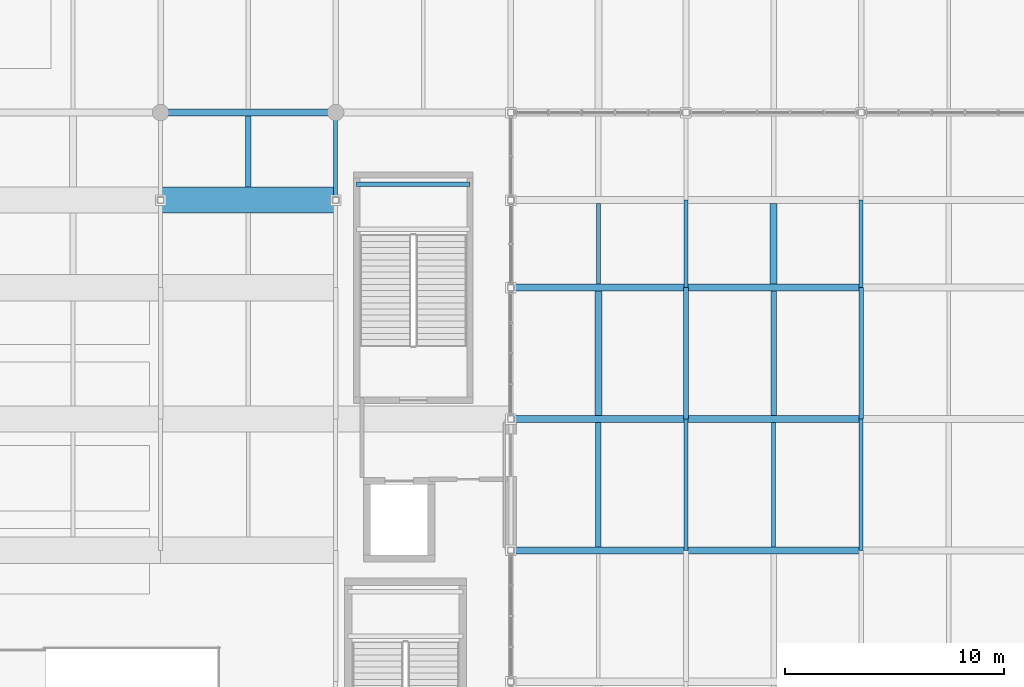
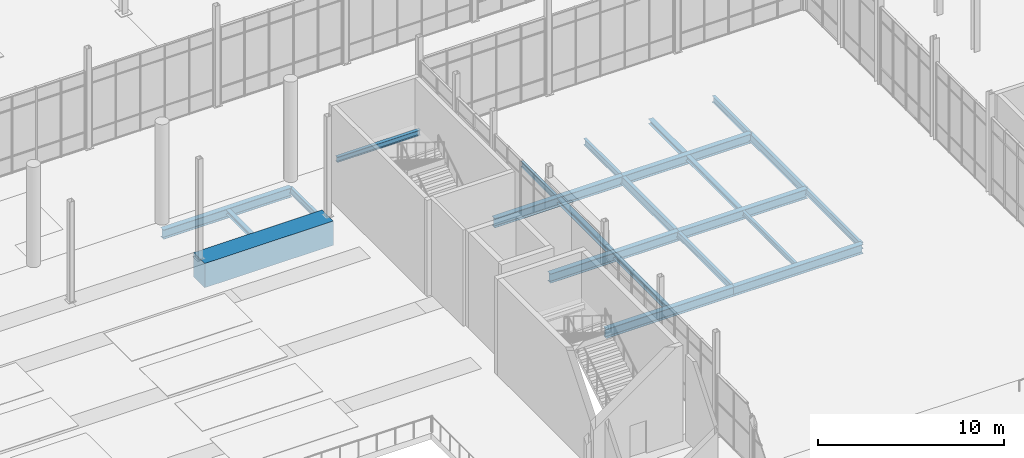
# One storey, part 45 of 140: 23 beams.
"""IFC4 building model written with IfcOpenShell, lengths in metres."""

from ifc_helpers import new_model, si_unit, direction, frame, origin, origin_2d, place, context, subcontext, project, spatial, rectangle, i_section, extrude, material, material_profile, profile_set, type_object, element, save


model = new_model("IFC4")

# Units and contexts
model_context = context("Model", 3, precision=1e-05, world=origin(), true_north=direction((0.0, 1.0)))
body_context = subcontext(model_context, "Body", "Model", "MODEL_VIEW")
ifc_project = project(units=[si_unit("LENGTHUNIT", "METRE"), si_unit("AREAUNIT", "SQUARE_METRE"), si_unit("VOLUMEUNIT", "CUBIC_METRE"), si_unit("PLANEANGLEUNIT", "RADIAN"), si_unit("MASSUNIT", "GRAM", prefix="KILO")], contexts=[model_context])

# Site, building, storey
site_placement = place(None, origin())
site = spatial("IfcSite", under=ifc_project, at=site_placement, CompositionType="ELEMENT")
building_placement = place(site_placement, origin())
building = spatial("IfcBuilding", under=site, at=building_placement, Name="Verrall Gate Interchange", CompositionType="ELEMENT")
storey_placement = place(building_placement, origin())
storey = spatial("IfcBuildingStorey", under=building, at=storey_placement, Name="L01", CompositionType="ELEMENT", Elevation=0.0)

# Beams
ifc_material_1 = material(Name="Structural Steel CSA G40.21 350WT Cat 4", Category="steel")
ifc_material_profile_1 = material_profile(ifc_material_1, i_section(OverallWidth=0.323974609375, OverallDepth=0.611083984375, WebThickness=0.0126953125, FlangeThickness=0.01904296875, FilletRadius=0.014892578125, at=origin_2d()), Name="W610x155")
ifc_profile_set_1 = profile_set([ifc_material_profile_1], Name="Structural Steel CSA G40.21 350WT Cat 4")
beam_type_1 = type_object("IfcBeamType", Name="B-08 Structural Beam W610x155", PredefinedType="BEAM", material=ifc_profile_set_1)
for number, where, z_axis, x_axis, name in (
    (1, (108.0, 28.0, -0.805419921875), (1.0, 0.0, 0.0), (0.0, 1.0, 0.0), "L01 Girder BM-L01-0839 (B-08)"),
    (2, (116.0, 28.0, -0.805419921875), (1.0, 0.0, 0.0), (0.0, 1.0, 0.0), "L01 Girder BM-L01-0840 (B-08)"),
    (3, (108.0, 34.0, -0.805419921875), (1.0, 0.0, 0.0), (0.0, 1.0, 0.0), "L01 Girder BM-L01-0860 (B-08)"),
    (4, (116.0, 34.0, -0.805419921875), (1.0, 0.0, 0.0), (0.0, 1.0, 0.0), "L01 Girder BM-L01-0861 (B-08)"),
    (5, (108.0, 40.0, -0.805419921875), (1.0, 0.0, 0.0), (0.0, 1.0, 0.0), "L01 Girder BM-L01-0881 (B-08)"),
    (6, (116.0, 40.0, -0.805419921875), (1.0, 0.0, 0.0), (0.0, 1.0, 0.0), "L01 Girder BM-L01-0882 (B-08)"),
    (7, (92.0, 48.0, -0.805419921875), (1.0, 0.0, 0.0), (0.0, 1.0, 0.0), "L01 Girder BM-L01-0924 (B-08)"),
):
    element("IfcBeam", number, at=place(storey_placement, frame(where, z_axis=z_axis, x_axis=x_axis)), inside=storey, type_object=beam_type_1, Name=name, PredefinedType="BEAM", context=body_context, shape_type="SweptSolid", body=[
        extrude(i_section(OverallWidth=0.323974609375, OverallDepth=0.611083984375, WebThickness=0.0126953125, FlangeThickness=0.01904296875, FilletRadius=0.014892578125, at=origin_2d()), origin(), (0.0, 0.0, 1.0), 8.0),
    ])
ifc_material_2 = material(Name="Structural Steel CSA G40.21 350W", Category="steel")
ifc_material_profile_2 = material_profile(ifc_material_2, i_section(OverallWidth=0.2109375, OverallDepth=0.5390625, WebThickness=0.01171875, FlangeThickness=0.018798828125, FilletRadius=0.013916015625, at=origin_2d()), Name="W530x109")
ifc_profile_set_2 = profile_set([ifc_material_profile_2], Name="Structural Steel CSA G40.21 350W")
beam_type_2 = type_object("IfcBeamType", Name="B-10 Structural Beam W530x109", PredefinedType="BEAM", material=ifc_profile_set_2)
for number, where, z_axis, x_axis, name in (
    (8, (116.0, 34.0, -0.76953125), (0.0, 1.0, 0.0), (-1.0, 0.0, 0.0), "L01 Girder BM-L01-1183 (B-10)"),
    (9, (124.0, 34.0, -0.76953125), (0.0, 1.0, 0.0), (-1.0, 0.0, 0.0), "L01 Girder BM-L01-1191 (B-10)"),
):
    element("IfcBeam", number, at=place(storey_placement, frame(where, z_axis=z_axis, x_axis=x_axis)), inside=storey, type_object=beam_type_2, Name=name, PredefinedType="BEAM", context=body_context, shape_type="SweptSolid", body=[
        extrude(i_section(OverallWidth=0.2109375, OverallDepth=0.5390625, WebThickness=0.01171875, FlangeThickness=0.018798828125, FilletRadius=0.013916015625, at=origin_2d()), origin(), (0.0, 0.0, 1.0), 6.0),
    ])
ifc_material_3 = material(Name="Structural Steel CSA G40.21 350W", Category="steel")
ifc_material_profile_3 = material_profile(ifc_material_3, i_section(OverallWidth=0.178955078125, OverallDepth=0.409912109375, WebThickness=0.0087890625, FlangeThickness=0.014404296875, FilletRadius=0.011962890625, at=origin_2d()), Name="W410x67")
ifc_profile_set_3 = profile_set([ifc_material_profile_3], Name="Structural Steel CSA G40.21 350W")
beam_type_3 = type_object("IfcBeamType", Name="B-12 Structural Beam W410x67", PredefinedType="BEAM", material=ifc_profile_set_3)
beam_1_placement = place(storey_placement, frame((100.0, 44.0, -0.705078125), z_axis=(0.0, 1.0, 0.0), x_axis=(-1.0, 0.0, 0.0)))
element("IfcBeam", 10, at=beam_1_placement, inside=storey, type_object=beam_type_3, Name="L01 Girder BM-L01-1166 (B-12)", PredefinedType="BEAM", context=body_context, shape_type="SweptSolid", body=[
    extrude(i_section(OverallWidth=0.178955078125, OverallDepth=0.409912109375, WebThickness=0.0087890625, FlangeThickness=0.014404296875, FilletRadius=0.011962890625, at=origin_2d()), origin(), (0.0, 0.0, 1.0), 4.0),
])
beam_2_placement = place(storey_placement, frame((116.0, 28.0, -0.705078125), z_axis=(0.0, 1.0, 0.0), x_axis=(-1.0, 0.0, 0.0)))
element("IfcBeam", 11, at=beam_2_placement, inside=storey, type_object=beam_type_3, Name="L01 Girder BM-L01-1182 (B-12)", PredefinedType="BEAM", context=body_context, shape_type="SweptSolid", body=[
    extrude(i_section(OverallWidth=0.178955078125, OverallDepth=0.409912109375, WebThickness=0.0087890625, FlangeThickness=0.014404296875, FilletRadius=0.011962890625, at=origin_2d()), origin(), (0.0, 0.0, 1.0), 6.0),
])
beam_3_placement = place(storey_placement, frame((116.0, 40.0, -0.705078125), z_axis=(0.0, 1.0, 0.0), x_axis=(-1.0, 0.0, 0.0)))
element("IfcBeam", 12, at=beam_3_placement, inside=storey, type_object=beam_type_3, Name="L01 Girder BM-L01-1184 (B-12)", PredefinedType="BEAM", context=body_context, shape_type="SweptSolid", body=[
    extrude(i_section(OverallWidth=0.178955078125, OverallDepth=0.409912109375, WebThickness=0.0087890625, FlangeThickness=0.014404296875, FilletRadius=0.011962890625, at=origin_2d()), origin(), (0.0, 0.0, 1.0), 4.0),
])
beam_4_placement = place(storey_placement, frame((124.0, 28.0, -0.705078125), z_axis=(0.0, 1.0, 0.0), x_axis=(-1.0, 0.0, 0.0)))
element("IfcBeam", 13, at=beam_4_placement, inside=storey, type_object=beam_type_3, Name="L01 Girder BM-L01-1190 (B-12)", PredefinedType="BEAM", context=body_context, shape_type="SweptSolid", body=[
    extrude(i_section(OverallWidth=0.178955078125, OverallDepth=0.409912109375, WebThickness=0.0087890625, FlangeThickness=0.014404296875, FilletRadius=0.011962890625, at=origin_2d()), origin(), (0.0, 0.0, 1.0), 6.0),
])
beam_5_placement = place(storey_placement, frame((124.0, 40.0, -0.705078125), z_axis=(0.0, 1.0, 0.0), x_axis=(-1.0, 0.0, 0.0)))
element("IfcBeam", 14, at=beam_5_placement, inside=storey, type_object=beam_type_3, Name="L01 Girder BM-L01-1192 (B-12)", PredefinedType="BEAM", context=body_context, shape_type="SweptSolid", body=[
    extrude(i_section(OverallWidth=0.178955078125, OverallDepth=0.409912109375, WebThickness=0.0087890625, FlangeThickness=0.014404296875, FilletRadius=0.011962890625, at=origin_2d()), origin(), (0.0, 0.0, 1.0), 4.0),
])
ifc_material_4 = material(Name="Structural Steel CSA G40.21 350W", Category="steel")
ifc_material_profile_4 = material_profile(ifc_material_4, i_section(OverallWidth=0.205078125, OverallDepth=0.35400390625, WebThickness=0.009521484375, FlangeThickness=0.016845703125, FilletRadius=0.012939453125, at=origin_2d()), Name="W360x79")
ifc_profile_set_4 = profile_set([ifc_material_profile_4], Name="Structural Steel CSA G40.21 350W")
beam_type_4 = type_object("IfcBeamType", Name="B-14 Structural Beam W360x79", PredefinedType="BEAM", material=ifc_profile_set_4)
beam_6_placement = place(storey_placement, frame((100.9599609375, 44.719970703125, 2.929931640625), z_axis=(1.0, 0.0, 0.0), x_axis=(0.0, 1.0, 0.0)))
element("IfcBeam", 15, at=beam_6_placement, inside=storey, type_object=beam_type_4, Name="L01 Core C7 Mid-Landing Beam 2", PredefinedType="BEAM", context=body_context, shape_type="SweptSolid", body=[
    extrude(i_section(OverallWidth=0.205078125, OverallDepth=0.35400390625, WebThickness=0.009521484375, FlangeThickness=0.016845703125, FilletRadius=0.012939453125, at=origin_2d()), origin(), (0.0, 0.0, 1.0), 5.179931640625),
])
ifc_material_5 = material(Name="Structural Steel CSA G40.21 350W", Category="steel")
ifc_material_profile_5 = material_profile(ifc_material_5, i_section(OverallWidth=0.172119140625, OverallDepth=0.35791015625, WebThickness=0.0078125, FlangeThickness=0.01318359375, FilletRadius=0.010986328125, at=origin_2d()), Name="W360x57")
ifc_profile_set_5 = profile_set([ifc_material_profile_5], Name="Structural Steel CSA G40.21 350W")
beam_type_5 = type_object("IfcBeamType", Name="J-01 Floor Joist W360x57", PredefinedType="JOIST", material=ifc_profile_set_5)
beam_7_placement = place(storey_placement, frame((112.0, 40.162109375, -0.678955078125), z_axis=(0.0, 1.0, 0.0), x_axis=(-1.0, 0.0, 0.0)))
element("IfcBeam", 16, at=beam_7_placement, inside=storey, type_object=beam_type_5, Name="L01 Secondary Floor Joist JST-L01-1372", PredefinedType="JOIST", context=body_context, shape_type="SweptSolid", body=[
    extrude(i_section(OverallWidth=0.172119140625, OverallDepth=0.35791015625, WebThickness=0.0078125, FlangeThickness=0.01318359375, FilletRadius=0.010986328125, at=origin_2d()), origin(), (0.0, 0.0, 1.0), 3.67578125),
])
ifc_material_6 = material(Name="Structural Steel CSA G40.21 350W", Category="steel")
ifc_material_profile_6 = material_profile(ifc_material_6, i_section(OverallWidth=0.306884765625, OverallDepth=0.31396484375, WebThickness=0.011962890625, FlangeThickness=0.018798828125, FilletRadius=0.013916015625, at=origin_2d()), Name="W310x118")
ifc_profile_set_6 = profile_set([ifc_material_profile_6], Name="Structural Steel CSA G40.21 350W")
beam_type_6 = type_object("IfcBeamType", Name="J-02 Floor Joist W310x118", PredefinedType="JOIST", material=ifc_profile_set_6)
beam_8_placement = place(storey_placement, frame((112.0, 34.162109375, -0.656982421875), z_axis=(0.0, 1.0, 0.0), x_axis=(-1.0, 0.0, 0.0)))
element("IfcBeam", 17, at=beam_8_placement, inside=storey, type_object=beam_type_6, Name="L01 Secondary Floor Joist JST-L01-1355", PredefinedType="JOIST", context=body_context, shape_type="SweptSolid", body=[
    extrude(i_section(OverallWidth=0.306884765625, OverallDepth=0.31396484375, WebThickness=0.011962890625, FlangeThickness=0.018798828125, FilletRadius=0.013916015625, at=origin_2d()), origin(), (0.0, 0.0, 1.0), 5.67578125),
])
beam_9_placement = place(storey_placement, frame((120.0, 40.162109375, -0.656982421875), z_axis=(0.0, 1.0, 0.0), x_axis=(-1.0, 0.0, 0.0)))
element("IfcBeam", 18, at=beam_9_placement, inside=storey, type_object=beam_type_6, Name="L01 Secondary Floor Joist JST-L01-1373", PredefinedType="JOIST", context=body_context, shape_type="SweptSolid", body=[
    extrude(i_section(OverallWidth=0.306884765625, OverallDepth=0.31396484375, WebThickness=0.011962890625, FlangeThickness=0.018798828125, FilletRadius=0.013916015625, at=origin_2d()), origin(), (0.0, 0.0, 1.0), 3.67578125),
])
ifc_material_7 = material(Name="Structural Steel CSA G40.21 350W", Category="steel")
ifc_material_profile_7 = material_profile(ifc_material_7, i_section(OverallWidth=0.25390625, OverallDepth=0.305908203125, WebThickness=0.0087890625, FlangeThickness=0.0146484375, FilletRadius=0.012939453125, at=origin_2d()), Name="W310x79")
ifc_profile_set_7 = profile_set([ifc_material_profile_7], Name="Structural Steel CSA G40.21 350W")
beam_type_7 = type_object("IfcBeamType", Name="J-03 Floor Joist W310x79", PredefinedType="JOIST", material=ifc_profile_set_7)
for number, where, z_axis, x_axis, name in (
    (19, (112.0, 28.162109375, -0.653076171875), (0.0, 1.0, 0.0), (-1.0, 0.0, 0.0), "L01 Secondary Floor Joist JST-L01-1338"),
    (20, (120.0, 34.162109375, -0.653076171875), (0.0, 1.0, 0.0), (-1.0, 0.0, 0.0), "L01 Secondary Floor Joist JST-L01-1356"),
):
    element("IfcBeam", number, at=place(storey_placement, frame(where, z_axis=z_axis, x_axis=x_axis)), inside=storey, type_object=beam_type_7, Name=name, PredefinedType="JOIST", context=body_context, shape_type="SweptSolid", body=[
        extrude(i_section(OverallWidth=0.25390625, OverallDepth=0.305908203125, WebThickness=0.0087890625, FlangeThickness=0.0146484375, FilletRadius=0.012939453125, at=origin_2d()), origin(), (0.0, 0.0, 1.0), 5.67578125),
    ])
beam_10_placement = place(storey_placement, frame((96.0, 44.60009765625, -0.653076171875), z_axis=(0.0, 1.0, 0.0), x_axis=(-1.0, 0.0, 0.0)))
element("IfcBeam", 21, at=beam_10_placement, inside=storey, type_object=beam_type_7, Name="L01 Secondary Floor Joist JST-L01-1390", PredefinedType="JOIST", context=body_context, shape_type="SweptSolid", body=[
    extrude(i_section(OverallWidth=0.25390625, OverallDepth=0.305908203125, WebThickness=0.0087890625, FlangeThickness=0.0146484375, FilletRadius=0.012939453125, at=origin_2d()), origin(), (0.0, 0.0, 1.0), 3.23779296875),
])
ifc_material_8 = material(Name="Structural Steel CSA G40.21 350W", Category="steel")
ifc_material_profile_8 = material_profile(ifc_material_8, i_section(OverallWidth=0.1650390625, OverallDepth=0.31005859375, WebThickness=0.005859375, FlangeThickness=0.009765625, FilletRadius=0.010009765625, at=origin_2d()), Name="W310x39")
ifc_profile_set_8 = profile_set([ifc_material_profile_8], Name="Structural Steel CSA G40.21 350W")
beam_type_8 = type_object("IfcBeamType", Name="J-04 Floor Joist W310x39", PredefinedType="JOIST", material=ifc_profile_set_8)
beam_11_placement = place(storey_placement, frame((120.0, 28.162109375, -0.655029296875), z_axis=(0.0, 1.0, 0.0), x_axis=(-1.0, 0.0, 0.0)))
element("IfcBeam", 22, at=beam_11_placement, inside=storey, type_object=beam_type_8, Name="L01 Secondary Floor Joist JST-L01-1339", PredefinedType="JOIST", context=body_context, shape_type="SweptSolid", body=[
    extrude(i_section(OverallWidth=0.1650390625, OverallDepth=0.31005859375, WebThickness=0.005859375, FlangeThickness=0.009765625, FilletRadius=0.010009765625, at=origin_2d()), origin(), (0.0, 0.0, 1.0), 5.67578125),
])
ifc_material_9 = material(Name="Concrete CSA A23.1 40 MPa (Class N)", Category="concrete")
ifc_material_profile_9 = material_profile(ifc_material_9, rectangle(XDim=1.199951171875, YDim=1.60009765625, at=origin_2d()), Name="RC1200x1600")
ifc_profile_set_9 = profile_set([ifc_material_profile_9], Name="Concrete CSA A23.1 40 MPa (Class N)")
beam_type_9 = type_object("IfcBeamType", Name="TG-01 Transfer Girder RC1200x1600", PredefinedType="USERDEFINED", material=ifc_profile_set_9)
beam_12_placement = place(storey_placement, frame((92.0, 44.0, -0.800048828125), z_axis=(1.0, 0.0, 0.0), x_axis=(0.0, 1.0, 0.0)))
element("IfcBeam", 23, at=beam_12_placement, inside=storey, type_object=beam_type_9, Name="L01 Girder BM-L01-0900 (TG-01)", ObjectType="TRANSFER_GIRDER", PredefinedType="USERDEFINED", context=body_context, shape_type="SweptSolid", body=[
    extrude(rectangle(XDim=1.199951171875, YDim=1.60009765625, at=origin_2d()), origin(), (0.0, 0.0, 1.0), 8.0),
])

save(model, "model.ifc")
